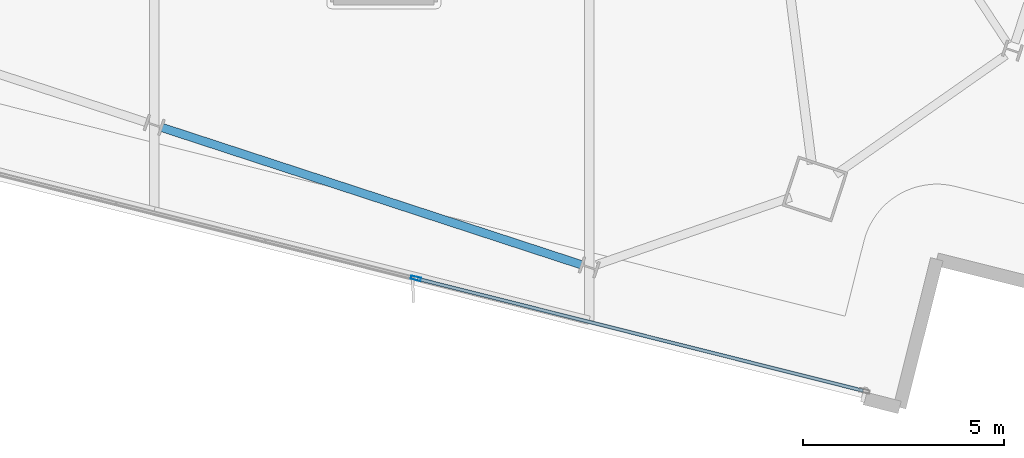
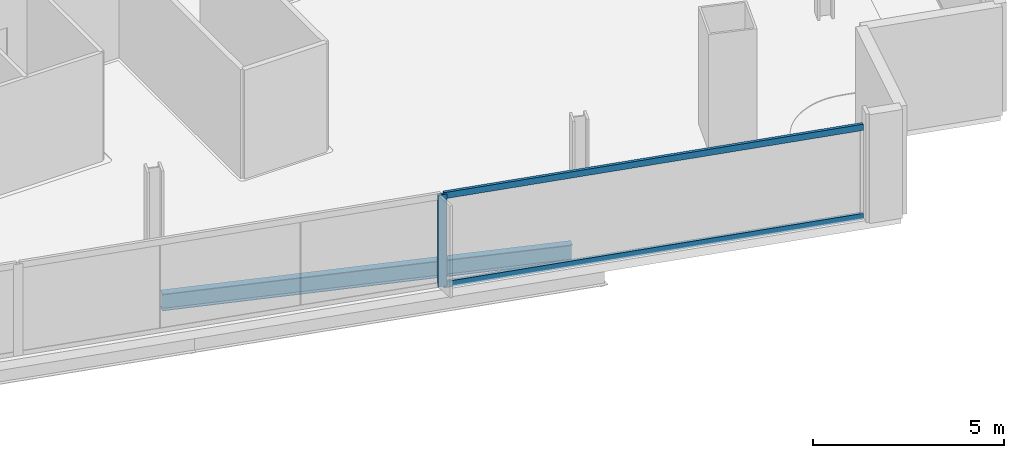
# One storey, part 4 of 28: 3 members, 1 beam, 1 element without a shape of its own.
"""IFC4 building model written with IfcOpenShell, lengths in metres."""

from ifc_helpers import new_model, si_unit, direction, frame, origin, origin_2d, place, context, subcontext, project, spatial, hollow_rectangle, i_section, extrude, material, material_profile, profile_set, type_object, element, aggregate, save


model = new_model("IFC4")

# Units and contexts
model_context = context("Model", 3, precision=1e-05, world=origin(), true_north=direction((0.0, 1.0)))
body_context = subcontext(model_context, "Body", "Model", "MODEL_VIEW")
ifc_project = project(units=[si_unit("LENGTHUNIT", "METRE"), si_unit("AREAUNIT", "SQUARE_METRE"), si_unit("VOLUMEUNIT", "CUBIC_METRE"), si_unit("PLANEANGLEUNIT", "RADIAN"), si_unit("MASSUNIT", "GRAM", prefix="KILO")], contexts=[model_context])

# Site, building, storey
site_placement = place(None, origin())
site = spatial("IfcSite", under=ifc_project, at=site_placement, CompositionType="ELEMENT")
building_placement = place(site_placement, origin())
building = spatial("IfcBuilding", under=site, at=building_placement, Name="Haldenkirk Collegiate Tower", CompositionType="ELEMENT")
storey_placement = place(building_placement, frame((0.0, 0.0, 282.449951171875)))
storey = spatial("IfcBuildingStorey", under=building, at=storey_placement, Name="L71", CompositionType="ELEMENT", Elevation=282.449951171875)

# Beam
ifc_material_1 = material(Name="Steel ASTM A992 Grade 50", Category="steel")
ifc_material_profile_1 = material_profile(ifc_material_1, i_section(OverallWidth=0.2099609375, OverallDepth=0.537109375, WebThickness=0.010986328125, FlangeThickness=0.017333984375, at=origin_2d()), Name="W21X68")
ifc_profile_set_1 = profile_set([ifc_material_profile_1], Name="Steel ASTM A992 Grade 50")
beam_type = type_object("IfcBeamType", Name="BM-SPANDREL-W21X68", PredefinedType="SPANDREL", material=ifc_profile_set_1)
beam_placement = place(storey_placement, frame((30.4755859375, 5.97509765625, -0.538330078125), z_axis=(0.95040429397, -0.311017166733, 0.0), x_axis=(0.311017166733, 0.95040429397, 0.0)))
element("IfcBeam", 1, at=beam_placement, inside=storey, type_object=beam_type, Name="L71 perimeter spandrel beam 15", PredefinedType="SPANDREL", context=body_context, shape_type="SweptSolid", body=[
    extrude(i_section(OverallWidth=0.2099609375, OverallDepth=0.537109375, WebThickness=0.010986328125, FlangeThickness=0.017333984375, at=origin_2d()), origin(), (0.0, 0.0, 1.0), 10.988037109375),
])

# Curtain wall, members
ifc_material_2 = material(Name="Anodised architectural bronze aluminium", Category="aluminium")
curtain_wall_type = type_object("IfcCurtainWallType", Name="CW-SYS1B-CONVEX-HI", PredefinedType="USERDEFINED", material=ifc_material_2)
curtain_wall_placement = place(storey_placement, origin())
curtain_wall = element("IfcCurtainWall", 2, at=curtain_wall_placement, inside=storey, type_object=curtain_wall_type, Name="L71 Upper tower high-wind convex bronze unitised curtain wall", ObjectType="UNITISED CURTAIN WALL", PredefinedType="USERDEFINED")
ifc_material_profile_2 = material_profile(ifc_material_2, hollow_rectangle(XDim=0.0849609375, YDim=0.25, WallThickness=0.0048828125, at=origin_2d()), Name="CW-MUL-1B")
ifc_profile_set_2 = profile_set([ifc_material_profile_2], Name="Anodised architectural bronze aluminium")
member_type_1 = type_object("IfcMemberType", Name="CW-MUL-1B", PredefinedType="MULLION", material=ifc_profile_set_2)
member_1_placement = place(storey_placement, frame((36.79736328125, 2.21923828125, 0.0), z_axis=(0.0, 0.0, 1.0), x_axis=(-0.24361101081, -0.969873020252, 0.0)))
member_1 = element("IfcMember", 3, at=member_1_placement, type_object=member_type_1, Name="CW-1B mullion 2", PredefinedType="MULLION", context=body_context, shape_type="SweptSolid", body=[
    extrude(hollow_rectangle(XDim=0.0849609375, YDim=0.25, WallThickness=0.0048828125, at=origin_2d()), origin(), (0.0, 0.0, 1.0), 2.93798828125),
])
ifc_material_profile_3 = material_profile(ifc_material_2, hollow_rectangle(XDim=0.0849609375, YDim=0.199951171875, WallThickness=0.0048828125, at=origin_2d()), Name="CW-TRN-1B")
ifc_profile_set_3 = profile_set([ifc_material_profile_3], Name="Anodised architectural bronze aluminium")
member_type_2 = type_object("IfcMemberType", Name="CW-TRN-1B", PredefinedType="USERDEFINED", material=ifc_profile_set_3)
member_2_placement = place(storey_placement, frame((47.925048828125, -0.57568359375, 0.04248046875), z_axis=(-0.969873042791, 0.243610921076, 0.0), x_axis=(-0.243610921076, -0.969873042791, 0.0)))
member_2 = element("IfcMember", 4, at=member_2_placement, type_object=member_type_2, Name="CW-1B transom 1.1", ObjectType="TRANSOM", PredefinedType="USERDEFINED", context=body_context, shape_type="SweptSolid", body=[
    extrude(hollow_rectangle(XDim=0.0849609375, YDim=0.199951171875, WallThickness=0.0048828125, at=origin_2d()), origin(), (0.0, 0.0, 1.0), 11.430908203125),
])
member_3_placement = place(storey_placement, frame((47.925048828125, -0.57568359375, 2.8955078125), z_axis=(-0.969873042791, 0.243610921076, 0.0), x_axis=(-0.243610921076, -0.969873042791, 0.0)))
member_3 = element("IfcMember", 5, at=member_3_placement, type_object=member_type_2, Name="CW-1B transom 1.2", ObjectType="TRANSOM", PredefinedType="USERDEFINED", context=body_context, shape_type="SweptSolid", body=[
    extrude(hollow_rectangle(XDim=0.0849609375, YDim=0.199951171875, WallThickness=0.0048828125, at=origin_2d()), origin(), (0.0, 0.0, 1.0), 11.430908203125),
])
aggregate(curtain_wall, [member_1, member_2, member_3])

save(model, "model.ifc")
